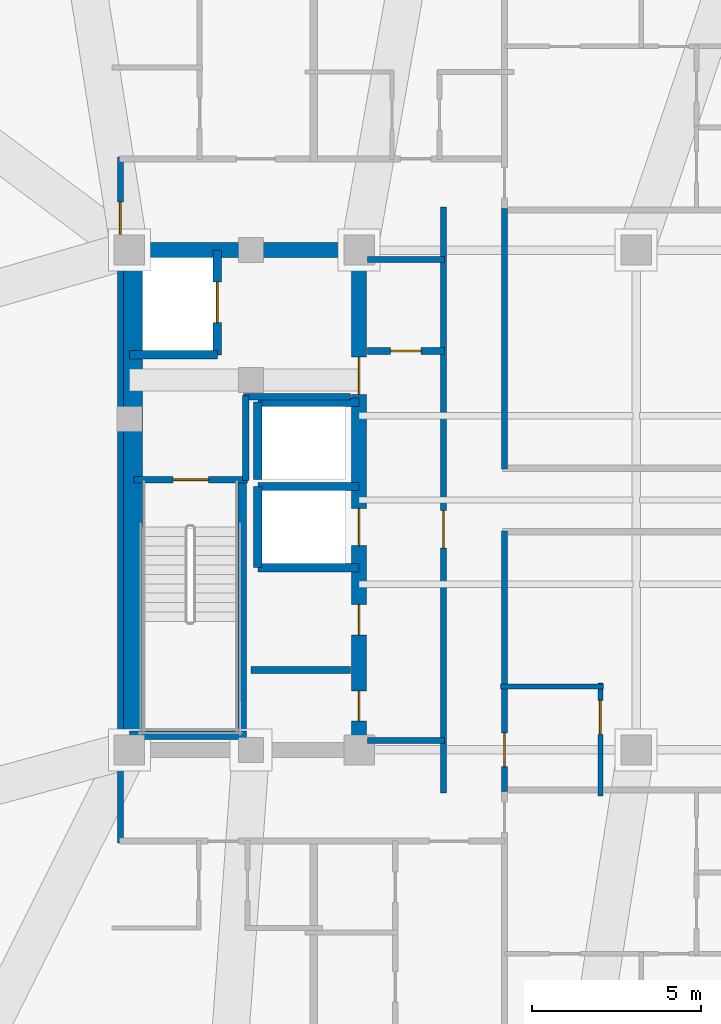
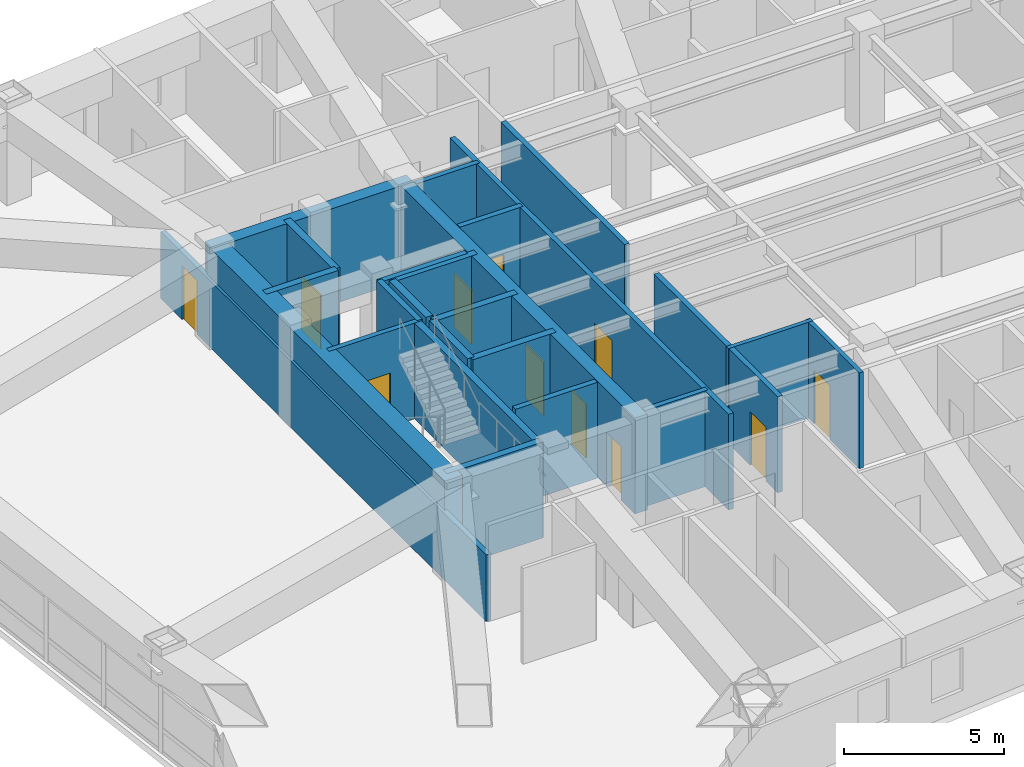
# One storey, part 7 of 14: 25 walls, 11 doors, 11 openings.
"""IFC4 building model written with IfcOpenShell, lengths in metres."""

from ifc_helpers import new_model, si_unit, direction, frame, frame_2d, origin, place, context, subcontext, project, spatial, rectangle, extrude, material, layer, layer_set, type_object, element, fill, save


model = new_model("IFC4")

# Units and contexts
model_context = context("Model", 3, precision=1e-05, world=origin(), true_north=direction((0.0, 1.0)))
body_context = subcontext(model_context, "Body", "Model", "MODEL_VIEW")
ifc_project = project(units=[si_unit("LENGTHUNIT", "METRE"), si_unit("AREAUNIT", "SQUARE_METRE"), si_unit("VOLUMEUNIT", "CUBIC_METRE"), si_unit("PLANEANGLEUNIT", "RADIAN"), si_unit("MASSUNIT", "GRAM", prefix="KILO")], contexts=[model_context])

# Site, building, storey
site_placement = place(None, origin())
site = spatial("IfcSite", under=ifc_project, at=site_placement, CompositionType="ELEMENT")
building_placement = place(site_placement, origin())
building = spatial("IfcBuilding", under=site, at=building_placement, Name="Voryun Gate Residences", CompositionType="ELEMENT")
storey_placement = place(building_placement, frame((0.0, 0.0, 144.300048828125)))
storey = spatial("IfcBuildingStorey", under=building, at=storey_placement, Name="L35", CompositionType="ELEMENT", Elevation=144.300048828125)

# Wall
ifc_material_1 = material(Name="Concrete C50/60", Category="concrete")
ifc_layer_1 = layer(ifc_material_1, 0.449951171875, Name="CW_CORE_450")
ifc_layer_set_1 = layer_set([ifc_layer_1], Name="Concrete C50/60")
wall_type_1 = type_object("IfcWallType", Name="CW_CORE_450", PredefinedType="SHEAR", material=ifc_layer_set_1)
wall_1_placement = place(storey_placement, frame((-19.425048828125, 7.39990234375, 0.0), z_axis=(0.0, 0.0, 1.0), x_axis=(1.0, 0.0, 0.0)))
element("IfcWall", 1, at=wall_1_placement, inside=storey, type_object=wall_type_1, Name="L35 Core shear wall CW-L35-WN", PredefinedType="SHEAR", context=body_context, shape_type="SweptSolid", body=[
    extrude(rectangle(XDim=7.25, YDim=0.449951171875, at=frame_2d((3.625, 0.0))), origin(), (0.0, 0.0, 1.0), 3.64990234375),
])

# Wall, openings, doors
wall_2_placement = place(storey_placement, frame((-12.39990234375, -7.39990234375, 0.0), z_axis=(0.0, 0.0, 1.0), x_axis=(0.0, 1.0, 0.0)))
wall_2 = element("IfcWall", 2, at=wall_2_placement, inside=storey, type_object=wall_type_1, Name="L35 Core shear wall CW-L35-WE", PredefinedType="SHEAR", context=body_context, shape_type="SweptSolid", body=[
    extrude(rectangle(XDim=14.7998046875, YDim=0.449951171875, at=frame_2d((7.39990234375, 0.0))), origin(), (0.0, 0.0, 1.0), 3.64990234375),
])
opening_1_placement = place(wall_2_placement, frame((6.050048828125, 0.0, 0.0)))
opening_1 = element("IfcOpeningElement", 3, at=opening_1_placement, cuts=wall_2, Name="Opening LD2", PredefinedType="OPENING", context=body_context, shape_type="SweptSolid", body=[
    extrude(rectangle(XDim=1.10009765625, YDim=2.050048828125, at=frame_2d((0.550048828125, 1.02490234375))), frame((0.0, 0.235107421875, 0.0), z_axis=(0.0, -1.0, 0.0), x_axis=(1.0, 0.0, 0.0)), (0.0, 0.0, 1.0), 0.469970703125),
])
opening_2_placement = place(wall_2_placement, frame((10.530029296875, 0.0, 0.0)))
opening_2 = element("IfcOpeningElement", 4, at=opening_2_placement, cuts=wall_2, Name="Opening D-FD60-2", PredefinedType="OPENING", context=body_context, shape_type="SweptSolid", body=[
    extrude(rectangle(XDim=1.10009765625, YDim=2.050048828125, at=frame_2d((0.550048828125, 1.02490234375))), frame((0.0, 0.235107421875, 0.0), z_axis=(0.0, -1.0, 0.0), x_axis=(1.0, 0.0, 0.0)), (0.0, 0.0, 1.0), 0.469970703125),
])
opening_3_placement = place(wall_2_placement, frame((0.85009765625, 0.0, 0.0)))
opening_3 = element("IfcOpeningElement", 5, at=opening_3_placement, cuts=wall_2, Name="Opening D-FD60-4", PredefinedType="OPENING", context=body_context, shape_type="SweptSolid", body=[
    extrude(rectangle(XDim=0.89990234375, YDim=2.050048828125, at=frame_2d((0.449951171875, 1.02490234375))), frame((0.0, 0.235107421875, 0.0), z_axis=(0.0, -1.0, 0.0), x_axis=(1.0, 0.0, 0.0)), (0.0, 0.0, 1.0), 0.469970703125),
])
opening_4_placement = place(wall_2_placement, frame((3.39990234375, 0.0, 0.0)))
opening_4 = element("IfcOpeningElement", 6, at=opening_4_placement, cuts=wall_2, Name="Opening D-FD60-4", PredefinedType="OPENING", context=body_context, shape_type="SweptSolid", body=[
    extrude(rectangle(XDim=0.89990234375, YDim=2.050048828125, at=frame_2d((0.449951171875, 1.02490234375))), frame((0.0, 0.235107421875, 0.0), z_axis=(0.0, -1.0, 0.0), x_axis=(1.0, 0.0, 0.0)), (0.0, 0.0, 1.0), 0.469970703125),
])
ifc_material_2 = material(Name="Painted steel fire door", Category="steel")
door_type_1 = type_object("IfcDoorType", Name="DR_FD60_FFLOB_1100", OperationType="NOTDEFINED", PredefinedType="DOOR", material=ifc_material_2)
door_1_placement = place(opening_2_placement, origin())
door_1 = element("IfcDoor", 7, at=door_1_placement, inside=storey, type_object=door_type_1, Name="Door DR-L35-CLOB-W", OperationType="SINGLE_SWING_LEFT", OverallHeight=2.050048828125, OverallWidth=1.10009765625, PredefinedType="DOOR", context=body_context, shape_type="SweptSolid", body=[
    extrude(rectangle(XDim=1.10009765625, YDim=2.050048828125, at=frame_2d((0.550048828125, 1.02490234375))), frame((0.0, 0.02490234375, 0.0), z_axis=(0.0, -1.0, 0.0), x_axis=(1.0, 0.0, 0.0)), (0.0, 0.0, 1.0), 0.050048828125),
])
fill(opening_2, door_1)
ifc_material_3 = material(Name="Painted steel fire door", Category="steel")
door_type_2 = type_object("IfcDoorType", Name="DR_FD60_RISER_900", OperationType="NOTDEFINED", PredefinedType="DOOR", material=ifc_material_3)
door_2_placement = place(opening_3_placement, origin())
door_2 = element("IfcDoor", 8, at=door_2_placement, inside=storey, type_object=door_type_2, Name="Door DR-L35-RECWB1", OperationType="SINGLE_SWING_LEFT", OverallHeight=2.050048828125, OverallWidth=0.89990234375, PredefinedType="DOOR", context=body_context, shape_type="SweptSolid", body=[
    extrude(rectangle(XDim=0.89990234375, YDim=2.050048828125, at=frame_2d((0.449951171875, 1.02490234375))), frame((0.0, 0.02490234375, 0.0), z_axis=(0.0, -1.0, 0.0), x_axis=(1.0, 0.0, 0.0)), (0.0, 0.0, 1.0), 0.050048828125),
])
fill(opening_3, door_2)
door_3_placement = place(opening_4_placement, origin())
door_3 = element("IfcDoor", 9, at=door_3_placement, inside=storey, type_object=door_type_2, Name="Door DR-L35-RECWB2", OperationType="SINGLE_SWING_RIGHT", OverallHeight=2.050048828125, OverallWidth=0.89990234375, PredefinedType="DOOR", context=body_context, shape_type="SweptSolid", body=[
    extrude(rectangle(XDim=0.89990234375, YDim=2.050048828125, at=frame_2d((0.449951171875, 1.02490234375))), frame((0.0, 0.02490234375, 0.0), z_axis=(0.0, -1.0, 0.0), x_axis=(1.0, 0.0, 0.0)), (0.0, 0.0, 1.0), 0.050048828125),
])
fill(opening_4, door_3)
ifc_material_4 = material(Name="Anodised aluminium", Category="aluminium")
door_type_3 = type_object("IfcDoorType", Name="DR_LD_PASS_1100", OperationType="NOTDEFINED", PredefinedType="DOOR", material=ifc_material_4)
door_4_placement = place(opening_1_placement, origin())
door_4 = element("IfcDoor", 10, at=door_4_placement, inside=storey, type_object=door_type_3, Name="Lift EL-P4 sliding landing door L35", OperationType="SLIDING_TO_LEFT", OverallHeight=2.050048828125, OverallWidth=1.10009765625, PredefinedType="DOOR", context=body_context, shape_type="SweptSolid", body=[
    extrude(rectangle(XDim=1.10009765625, YDim=2.050048828125, at=frame_2d((0.550048828125, 1.02490234375))), frame((0.0, 0.02490234375, 0.0), z_axis=(0.0, -1.0, 0.0), x_axis=(1.0, 0.0, 0.0)), (0.0, 0.0, 1.0), 0.050048828125),
])
fill(opening_1, door_4)

# Wall
ifc_material_5 = material(Name="Concrete C60/75", Category="concrete")
ifc_layer_2 = layer(ifc_material_5, 0.64990234375, Name="CW_CORE_650")
ifc_layer_set_2 = layer_set([ifc_layer_2], Name="Concrete C60/75")
wall_type_2 = type_object("IfcWallType", Name="CW_CORE_650", PredefinedType="SHEAR", material=ifc_layer_set_2)
wall_3_placement = place(storey_placement, frame((-19.14501953125, -7.39990234375, 0.0), z_axis=(0.0, 0.0, 1.0), x_axis=(0.0, 1.0, 0.0)))
element("IfcWall", 11, at=wall_3_placement, inside=storey, type_object=wall_type_2, Name="L35 Core shear wall CW-L35-WW", PredefinedType="SHEAR", context=body_context, shape_type="SweptSolid", body=[
    extrude(rectangle(XDim=14.7998046875, YDim=0.64990234375, at=frame_2d((7.39990234375, 0.0))), origin(), (0.0, 0.0, 1.0), 3.64990234375),
])

# Wall, opening, door
ifc_material_6 = material(Name="Gypsum acoustic fireboard")
ifc_layer_3 = layer(ifc_material_6, 0.179931640625, Name="W_CORR_RATED_180")
ifc_layer_set_3 = layer_set([ifc_layer_3], Name="Gypsum acoustic fireboard")
wall_type_3 = type_object("IfcWallType", Name="W_CORR_RATED_180", PredefinedType="PARTITIONING", material=ifc_layer_set_3)
wall_4_placement = place(storey_placement, frame((-19.06005859375, 0.60009765625, 0.0), z_axis=(0.0, 0.0, 1.0), x_axis=(1.0, 0.0, 0.0)))
wall_4 = element("IfcWall", 12, at=wall_4_placement, inside=storey, type_object=wall_type_3, Name="Partition wall WP-L35-STV-W", PredefinedType="PARTITIONING", context=body_context, shape_type="SweptSolid", body=[
    extrude(rectangle(XDim=3.360107421875, YDim=0.179931640625, at=frame_2d((1.68017578125, 0.0))), origin(), (0.0, 0.0, 1.0), 3.64990234375),
])
opening_5_placement = place(wall_4_placement, frame((1.155029296875, 0.0, 0.0)))
opening_5 = element("IfcOpeningElement", 13, at=opening_5_placement, cuts=wall_4, Name="Opening D-FD60-1", PredefinedType="OPENING", context=body_context, shape_type="SweptSolid", body=[
    extrude(rectangle(XDim=1.050048828125, YDim=2.050048828125, at=frame_2d((0.52490234375, 1.02490234375))), frame((0.0, 0.099853515625, 0.0), z_axis=(0.0, -1.0, 0.0), x_axis=(1.0, 0.0, 0.0)), (0.0, 0.0, 1.0), 0.199951171875),
])
ifc_material_7 = material(Name="Painted steel fire door", Category="steel")
door_type_4 = type_object("IfcDoorType", Name="DR_FD60_STAIR_1050", OperationType="NOTDEFINED", PredefinedType="DOOR", material=ifc_material_7)
door_5_placement = place(opening_5_placement, origin())
door_5 = element("IfcDoor", 14, at=door_5_placement, inside=storey, type_object=door_type_4, Name="Door DR-L35-ST-W", OperationType="SINGLE_SWING_LEFT", OverallHeight=2.050048828125, OverallWidth=1.050048828125, PredefinedType="DOOR", context=body_context, shape_type="SweptSolid", body=[
    extrude(rectangle(XDim=1.050048828125, YDim=2.050048828125, at=frame_2d((0.52490234375, 1.02490234375))), frame((0.0, 0.02490234375, 0.0), z_axis=(0.0, -1.0, 0.0), x_axis=(1.0, 0.0, 0.0)), (0.0, 0.0, 1.0), 0.050048828125),
])
fill(opening_5, door_5)

# Walls
for number, where, z_axis, x_axis, name in (
    (15, (-12.14990234375, 7.1201171875, 0.0), (0.0, 0.0, 1.0), (1.0, 0.0, 0.0), "Partition wall WP-L35-PLBN-W"),
    (16, (-12.14990234375, -7.1201171875, 0.0), (0.0, 0.0, 1.0), (1.0, 0.0, 0.0), "Partition wall WP-L35-PLBS-W"),
):
    element("IfcWall", number, at=place(storey_placement, frame(where, z_axis=z_axis, x_axis=x_axis)), inside=storey, type_object=wall_type_3, Name=name, PredefinedType="PARTITIONING", context=body_context, shape_type="SweptSolid", body=[
        extrude(rectangle(XDim=2.27001953125, YDim=0.179931640625, at=frame_2d((1.135009765625, 0.0))), origin(), (0.0, 0.0, 1.0), 3.64990234375),
    ])

# Wall, opening, door
wall_5_placement = place(storey_placement, frame((-9.89990234375, -8.679931640625, 0.0), z_axis=(0.0, 0.0, 1.0), x_axis=(0.0, 1.0, 0.0)))
wall_5 = element("IfcWall", 17, at=wall_5_placement, inside=storey, type_object=wall_type_3, Name="Partition wall WP-L35-PLBW-FULL", PredefinedType="PARTITIONING", context=body_context, shape_type="SweptSolid", body=[
    extrude(rectangle(XDim=17.35986328125, YDim=0.179931640625, at=frame_2d((8.679931640625, 0.0))), origin(), (0.0, 0.0, 1.0), 3.64990234375),
])
opening_6_placement = place(wall_5_placement, frame((7.261962890625, 0.0, 0.0)))
opening_6 = element("IfcOpeningElement", 18, at=opening_6_placement, cuts=wall_5, Name="Opening D-FD60-2", PredefinedType="OPENING", context=body_context, shape_type="SweptSolid", body=[
    extrude(rectangle(XDim=1.10009765625, YDim=2.050048828125, at=frame_2d((0.550048828125, 1.02490234375))), frame((0.0, 0.099853515625, 0.0), z_axis=(0.0, -1.0, 0.0), x_axis=(1.0, 0.0, 0.0)), (0.0, 0.0, 1.0), 0.199951171875),
])
door_6_placement = place(opening_6_placement, origin())
door_6 = element("IfcDoor", 19, at=door_6_placement, inside=storey, type_object=door_type_1, Name="Door DR-L35-PLBW-COR", OperationType="SINGLE_SWING_LEFT", OverallHeight=2.050048828125, OverallWidth=1.10009765625, PredefinedType="DOOR", context=body_context, shape_type="SweptSolid", body=[
    extrude(rectangle(XDim=1.10009765625, YDim=2.050048828125, at=frame_2d((0.550048828125, 1.02490234375))), frame((0.0, 0.02490234375, 0.0), z_axis=(0.0, -1.0, 0.0), x_axis=(1.0, 0.0, 0.0)), (0.0, 0.0, 1.0), 0.050048828125),
])
fill(opening_6, door_6)

# Wall
wall_6_placement = place(storey_placement, frame((-8.10009765625, 0.919921875, 0.0), z_axis=(0.0, 0.0, 1.0), x_axis=(0.0, 1.0, 0.0)))
element("IfcWall", 20, at=wall_6_placement, inside=storey, type_object=wall_type_3, Name="Partition wall WP-L35-Z2WL1", PredefinedType="PARTITIONING", context=body_context, shape_type="SweptSolid", body=[
    extrude(rectangle(XDim=7.7099609375, YDim=0.179931640625, at=frame_2d((3.85498046875, 0.0))), origin(), (0.0, 0.0, 1.0), 3.64990234375),
])

# Wall, opening, door
wall_7_placement = place(storey_placement, frame((-8.10009765625, -8.6298828125, 0.0), z_axis=(0.0, 0.0, 1.0), x_axis=(0.0, 1.0, 0.0)))
wall_7 = element("IfcWall", 21, at=wall_7_placement, inside=storey, type_object=wall_type_3, Name="Partition wall WP-L35-Z2WL2", PredefinedType="PARTITIONING", context=body_context, shape_type="SweptSolid", body=[
    extrude(rectangle(XDim=7.7099609375, YDim=0.179931640625, at=frame_2d((3.85498046875, 0.0))), origin(), (0.0, 0.0, 1.0), 3.64990234375),
])
opening_7_placement = place(wall_7_placement, frame((0.733642578125, 0.0, 0.0)))
opening_7 = element("IfcOpeningElement", 22, at=opening_7_placement, cuts=wall_7, Name="Opening D-AWC-1", PredefinedType="OPENING", context=body_context, shape_type="SweptSolid", body=[
    extrude(rectangle(XDim=1.0, YDim=2.050048828125, at=frame_2d((0.5, 1.02490234375))), frame((0.0, 0.099853515625, 0.0), z_axis=(0.0, -1.0, 0.0), x_axis=(1.0, 0.0, 0.0)), (0.0, 0.0, 1.0), 0.199951171875),
])
ifc_material_8 = material(Name="Architectural oak veneer")
door_type_5 = type_object("IfcDoorType", Name="DR_ACC_WC_1000", OperationType="NOTDEFINED", PredefinedType="DOOR", material=ifc_material_8)
door_7_placement = place(opening_7_placement, origin())
door_7 = element("IfcDoor", 23, at=door_7_placement, inside=storey, type_object=door_type_5, Name="Door DR-L35-CMWC-D", OperationType="SINGLE_SWING_LEFT", OverallHeight=2.050048828125, OverallWidth=1.0, PredefinedType="DOOR", context=body_context, shape_type="SweptSolid", body=[
    extrude(rectangle(XDim=1.0, YDim=2.050048828125, at=frame_2d((0.5, 1.02490234375))), frame((0.0, 0.02490234375, 0.0), z_axis=(0.0, -1.0, 0.0), x_axis=(1.0, 0.0, 0.0)), (0.0, 0.0, 1.0), 0.050048828125),
])
fill(opening_7, door_7)

wall_8_placement = place(storey_placement, frame((-19.469970703125, -10.14990234375, 0.0), z_axis=(0.0, 0.0, 1.0), x_axis=(0.0, 1.0, 0.0)))
wall_8 = element("IfcWall", 24, at=wall_8_placement, inside=storey, type_object=wall_type_3, Name="Partition wall WP-L35-WSG", PredefinedType="PARTITIONING", context=body_context, shape_type="SweptSolid", body=[
    extrude(rectangle(XDim=20.2998046875, YDim=0.179931640625, at=frame_2d((10.14990234375, 0.0))), origin(), (0.0, 0.0, 1.0), 2.5400390625),
])
opening_8_placement = place(wall_8_placement, frame((18.014892578125, 0.0, 0.0)))
opening_8 = element("IfcOpeningElement", 25, at=opening_8_placement, cuts=wall_8, Name="Opening D-INT-1", PredefinedType="OPENING", context=body_context, shape_type="SweptSolid", body=[
    extrude(rectangle(XDim=0.949951171875, YDim=2.050048828125, at=frame_2d((0.47509765625, 1.02490234375))), frame((0.0, 0.099853515625, 0.0), z_axis=(0.0, -1.0, 0.0), x_axis=(1.0, 0.0, 0.0)), (0.0, 0.0, 1.0), 0.199951171875),
])
ifc_material_9 = material(Name="Architectural oak veneer")
door_type_6 = type_object("IfcDoorType", Name="DR_INT_ROOM_950", OperationType="NOTDEFINED", PredefinedType="DOOR", material=ifc_material_9)
door_8_placement = place(opening_8_placement, origin())
door_8 = element("IfcDoor", 26, at=door_8_placement, inside=storey, type_object=door_type_6, Name="Door DR-L35-WSG", OperationType="SINGLE_SWING_LEFT", OverallHeight=2.050048828125, OverallWidth=0.949951171875, PredefinedType="DOOR", context=body_context, shape_type="SweptSolid", body=[
    extrude(rectangle(XDim=0.949951171875, YDim=2.050048828125, at=frame_2d((0.47509765625, 1.02490234375))), frame((0.0, 0.02490234375, 0.0), z_axis=(0.0, -1.0, 0.0), x_axis=(1.0, 0.0, 0.0)), (0.0, 0.0, 1.0), 0.050048828125),
])
fill(opening_8, door_8)

# Walls
ifc_material_10 = material(Name="Concrete C40/50", Category="concrete")
ifc_layer_4 = layer(ifc_material_10, 0.199951171875, Name="W_FF_LOBBY_200")
ifc_layer_set_4 = layer_set([ifc_layer_4], Name="Concrete C40/50")
wall_type_4 = type_object("IfcWallType", Name="W_FF_LOBBY_200", PredefinedType="PARTITIONING", material=ifc_layer_set_4)
wall_9_placement = place(storey_placement, frame((-15.760009765625, 0.580078125, 0.0), z_axis=(0.0, 0.0, 1.0), x_axis=(0.0, 1.0, 0.0)))
element("IfcWall", 27, at=wall_9_placement, inside=storey, type_object=wall_type_4, Name="Partition wall WP-L35-FFP0-W", PredefinedType="PARTITIONING", context=body_context, shape_type="SweptSolid", body=[
    extrude(rectangle(XDim=2.52001953125, YDim=0.199951171875, at=frame_2d((1.260009765625, 0.0))), origin(), (0.0, 0.0, 1.0), 3.64990234375),
])
wall_10_placement = place(storey_placement, frame((-15.820068359375, 3.06005859375, 0.0), z_axis=(0.0, 0.0, 1.0), x_axis=(1.0, 0.0, 0.0)))
element("IfcWall", 28, at=wall_10_placement, inside=storey, type_object=wall_type_4, Name="Partition wall WP-L35-FFPS-W", PredefinedType="PARTITIONING", context=body_context, shape_type="SweptSolid", body=[
    extrude(rectangle(XDim=3.16015625, YDim=0.199951171875, at=frame_2d((1.580078125, 0.0))), origin(), (0.0, 0.0, 1.0), 3.64990234375),
])
wall_11_placement = place(storey_placement, frame((-15.60009765625, -5.030029296875, 0.0), z_axis=(0.0, 0.0, 1.0), x_axis=(1.0, 0.0, 0.0)))
element("IfcWall", 29, at=wall_11_placement, inside=storey, type_object=wall_type_4, Name="Partition wall WP-L35-RECWB", PredefinedType="PARTITIONING", context=body_context, shape_type="SweptSolid", body=[
    extrude(rectangle(XDim=2.940185546875, YDim=0.199951171875, at=frame_2d((1.47021484375, 0.0))), origin(), (0.0, 0.0, 1.0), 3.64990234375),
])

# Wall, opening, door
wall_12_placement = place(storey_placement, frame((-12.14990234375, 4.409912109375, 0.0), z_axis=(0.0, 0.0, 1.0), x_axis=(1.0, 0.0, 0.0)))
wall_12 = element("IfcWall", 30, at=wall_12_placement, inside=storey, type_object=wall_type_4, Name="Partition wall WP-L35-CSFLKS-W", PredefinedType="PARTITIONING", context=body_context, shape_type="SweptSolid", body=[
    extrude(rectangle(XDim=2.27001953125, YDim=0.199951171875, at=frame_2d((1.135009765625, 0.0))), origin(), (0.0, 0.0, 1.0), 3.64990234375),
])
opening_9_placement = place(wall_12_placement, frame((0.68505859375, 0.0, 0.0)))
opening_9 = element("IfcOpeningElement", 31, at=opening_9_placement, cuts=wall_12, Name="Opening D-FD60-4", PredefinedType="OPENING", context=body_context, shape_type="SweptSolid", body=[
    extrude(rectangle(XDim=0.89990234375, YDim=2.050048828125, at=frame_2d((0.449951171875, 1.02490234375))), frame((0.0, 0.110107421875, 0.0), z_axis=(0.0, -1.0, 0.0), x_axis=(1.0, 0.0, 0.0)), (0.0, 0.0, 1.0), 0.219970703125),
])
door_9_placement = place(opening_9_placement, origin())
door_9 = element("IfcDoor", 32, at=door_9_placement, inside=storey, type_object=door_type_2, Name="Door DR-L35-CSFLK-W", OperationType="SINGLE_SWING_LEFT", OverallHeight=2.050048828125, OverallWidth=0.89990234375, PredefinedType="DOOR", context=body_context, shape_type="SweptSolid", body=[
    extrude(rectangle(XDim=0.89990234375, YDim=2.050048828125, at=frame_2d((0.449951171875, 1.02490234375))), frame((0.0, 0.02490234375, 0.0), z_axis=(0.0, -1.0, 0.0), x_axis=(1.0, 0.0, 0.0)), (0.0, 0.0, 1.0), 0.050048828125),
])
fill(opening_9, door_9)

# Walls
ifc_material_11 = material(Name="Concrete C50/60", Category="concrete")
ifc_layer_5 = layer(ifc_material_11, 0.25, Name="W_SHAFT_RC250")
ifc_layer_set_5 = layer_set([ifc_layer_5], Name="Concrete C50/60")
wall_type_5 = type_object("IfcWallType", Name="W_SHAFT_RC250", PredefinedType="SOLIDWALL", material=ifc_layer_set_5)
wall_13_placement = place(storey_placement, frame((-15.860107421875, -7.0849609375, 0.0), z_axis=(0.0, 0.0, 1.0), x_axis=(0.0, 1.0, 0.0)))
element("IfcWall", 33, at=wall_13_placement, inside=storey, type_object=wall_type_5, Name="L35 Stair shaft structural wall W-STR", PredefinedType="SOLIDWALL", context=body_context, shape_type="SweptSolid", body=[
    extrude(rectangle(XDim=7.68505859375, YDim=0.25, at=frame_2d((3.842529296875, 0.0))), origin(), (0.0, 0.0, 1.0), 3.64990234375),
])
wall_14_placement = place(storey_placement, frame((-19.199951171875, -6.965087890625, 0.0), z_axis=(0.0, 0.0, 1.0), x_axis=(1.0, 0.0, 0.0)))
element("IfcWall", 34, at=wall_14_placement, inside=storey, type_object=wall_type_5, Name="L35 Stair shaft structural wall W-STS", PredefinedType="SOLIDWALL", context=body_context, shape_type="SweptSolid", body=[
    extrude(rectangle(XDim=3.4599609375, YDim=0.25, at=frame_2d((1.72998046875, 0.0))), origin(), (0.0, 0.0, 1.0), 3.64990234375),
])
wall_15_placement = place(storey_placement, frame((-19.199951171875, 4.300048828125, 0.0), z_axis=(0.0, 0.0, 1.0), x_axis=(1.0, 0.0, 0.0)))
element("IfcWall", 35, at=wall_15_placement, inside=storey, type_object=wall_type_5, Name="Lift shaft wall WSH-L35-EL-FF-W1-S", PredefinedType="SOLIDWALL", context=body_context, shape_type="SweptSolid", body=[
    extrude(rectangle(XDim=2.599853515625, YDim=0.25, at=frame_2d((1.2998046875, 0.0))), origin(), (0.0, 0.0, 1.0), 3.64990234375),
])

# Wall, opening, door
wall_16_placement = place(storey_placement, frame((-16.60009765625, 4.300048828125, 0.0), z_axis=(0.0, 0.0, 1.0), x_axis=(0.0, 1.0, 0.0)))
wall_16 = element("IfcWall", 36, at=wall_16_placement, inside=storey, type_object=wall_type_5, Name="Lift shaft wall WSH-L35-EL-FF-W1-E", PredefinedType="SOLIDWALL", context=body_context, shape_type="SweptSolid", body=[
    extrude(rectangle(XDim=3.099853515625, YDim=0.25, at=frame_2d((1.5498046875, 0.0))), origin(), (0.0, 0.0, 1.0), 3.64990234375),
])
opening_10_placement = place(wall_16_placement, frame((0.949951171875, 0.0, 0.0)))
opening_10 = element("IfcOpeningElement", 37, at=opening_10_placement, cuts=wall_16, Name="Opening LD1", PredefinedType="OPENING", context=body_context, shape_type="SweptSolid", body=[
    extrude(rectangle(XDim=1.199951171875, YDim=2.050048828125, at=frame_2d((0.60009765625, 1.02490234375))), frame((0.0, 0.135009765625, 0.0), z_axis=(0.0, -1.0, 0.0), x_axis=(1.0, 0.0, 0.0)), (0.0, 0.0, 1.0), 0.27001953125),
])
ifc_material_12 = material(Name="Anodised aluminium", Category="aluminium")
door_type_7 = type_object("IfcDoorType", Name="DR_LD_FF_1200", OperationType="NOTDEFINED", PredefinedType="DOOR", material=ifc_material_12)
door_10_placement = place(opening_10_placement, origin())
door_10 = element("IfcDoor", 38, at=door_10_placement, inside=storey, type_object=door_type_7, Name="Lift EL-FF-W1 sliding landing door L35", OperationType="SLIDING_TO_LEFT", OverallHeight=2.050048828125, OverallWidth=1.199951171875, PredefinedType="DOOR", context=body_context, shape_type="SweptSolid", body=[
    extrude(rectangle(XDim=1.199951171875, YDim=2.050048828125, at=frame_2d((0.60009765625, 1.02490234375))), frame((0.0, 0.02490234375, 0.0), z_axis=(0.0, -1.0, 0.0), x_axis=(1.0, 0.0, 0.0)), (0.0, 0.0, 1.0), 0.050048828125),
])
fill(opening_10, door_10)

# Walls
for number, where, z_axis, x_axis, name in (
    (39, (-15.39990234375, -2.0, 0.0), (0.0, 0.0, 1.0), (1.0, 0.0, 0.0), "Lift shaft wall WSH-L35-EL-P4-S"),
    (40, (-12.39990234375, 0.39990234375, 0.0), (0.0, 0.0, 1.0), (-1.0, 0.0, 0.0), "Lift shaft wall WSH-L35-EL-P4-N"),
):
    element("IfcWall", number, at=place(storey_placement, frame(where, z_axis=z_axis, x_axis=x_axis)), inside=storey, type_object=wall_type_5, Name=name, PredefinedType="SOLIDWALL", context=body_context, shape_type="SweptSolid", body=[
        extrude(rectangle(XDim=3.0, YDim=0.25, at=frame_2d((1.5, 0.0))), origin(), (0.0, 0.0, 1.0), 3.64990234375),
    ])
wall_17_placement = place(storey_placement, frame((-15.39990234375, 0.39990234375, 0.0), z_axis=(0.0, 0.0, 1.0), x_axis=(0.0, -1.0, 0.0)))
element("IfcWall", 41, at=wall_17_placement, inside=storey, type_object=wall_type_5, Name="Lift shaft wall WSH-L35-EL-P4-W", PredefinedType="SOLIDWALL", context=body_context, shape_type="SweptSolid", body=[
    extrude(rectangle(XDim=2.39990234375, YDim=0.25, at=frame_2d((1.199951171875, 0.0))), origin(), (0.0, 0.0, 1.0), 3.64990234375),
])
wall_18_placement = place(storey_placement, frame((-12.39990234375, 2.89990234375, 0.0), z_axis=(0.0, 0.0, 1.0), x_axis=(-1.0, 0.0, 0.0)))
element("IfcWall", 42, at=wall_18_placement, inside=storey, type_object=wall_type_5, Name="Lift shaft wall WSH-L35-EL-P7-N", PredefinedType="SOLIDWALL", context=body_context, shape_type="SweptSolid", body=[
    extrude(rectangle(XDim=3.0, YDim=0.25, at=frame_2d((1.5, 0.0))), origin(), (0.0, 0.0, 1.0), 3.64990234375),
])
wall_19_placement = place(storey_placement, frame((-15.39990234375, 2.89990234375, 0.0), z_axis=(0.0, 0.0, 1.0), x_axis=(0.0, -1.0, 0.0)))
element("IfcWall", 43, at=wall_19_placement, inside=storey, type_object=wall_type_5, Name="Lift shaft wall WSH-L35-EL-P7-W", PredefinedType="SOLIDWALL", context=body_context, shape_type="SweptSolid", body=[
    extrude(rectangle(XDim=2.2998046875, YDim=0.25, at=frame_2d((1.14990234375, 0.0))), origin(), (0.0, 0.0, 1.0), 3.64990234375),
])

# Wall, opening, door
ifc_material_13 = material(Name="Gypsum moisture-resistant partition")
ifc_layer_6 = layer(ifc_material_13, 0.14990234375, Name="W_WET_PLUMB_150")
ifc_layer_set_6 = layer_set([ifc_layer_6], Name="Gypsum moisture-resistant partition")
wall_type_6 = type_object("IfcWallType", Name="W_WET_PLUMB_150", PredefinedType="PLUMBINGWALL", material=ifc_layer_set_6)
wall_20_placement = place(storey_placement, frame((-5.260009765625, -8.77001953125, 0.0), z_axis=(0.0, 0.0, 1.0), x_axis=(0.0, 1.0, 0.0)))
wall_20 = element("IfcWall", 44, at=wall_20_placement, inside=storey, type_object=wall_type_6, Name="Partition wall WP-L35-CMWCX", PredefinedType="PLUMBINGWALL", context=body_context, shape_type="SweptSolid", body=[
    extrude(rectangle(XDim=3.35009765625, YDim=0.14990234375, at=frame_2d((1.675048828125, 0.0))), origin(), (0.0, 0.0, 1.0), 3.64990234375),
])
opening_11_placement = place(wall_20_placement, frame((1.8349609375, 0.0, 0.0)))
opening_11 = element("IfcOpeningElement", 45, at=opening_11_placement, cuts=wall_20, Name="Opening D-AWC-1", PredefinedType="OPENING", context=body_context, shape_type="SweptSolid", body=[
    extrude(rectangle(XDim=1.0, YDim=2.050048828125, at=frame_2d((0.5, 1.02490234375))), frame((0.0, 0.0849609375, 0.0), z_axis=(0.0, -1.0, 0.0), x_axis=(1.0, 0.0, 0.0)), (0.0, 0.0, 1.0), 0.169921875),
])
door_11_placement = place(opening_11_placement, origin())
door_11 = element("IfcDoor", 46, at=door_11_placement, inside=storey, type_object=door_type_5, Name="Door DR-L35-CMWC", OperationType="SINGLE_SWING_LEFT", OverallHeight=2.050048828125, OverallWidth=1.0, PredefinedType="DOOR", context=body_context, shape_type="SweptSolid", body=[
    extrude(rectangle(XDim=1.0, YDim=2.050048828125, at=frame_2d((0.5, 1.02490234375))), frame((0.0, 0.02490234375, 0.0), z_axis=(0.0, -1.0, 0.0), x_axis=(1.0, 0.0, 0.0)), (0.0, 0.0, 1.0), 0.050048828125),
])
fill(opening_11, door_11)

# Wall
wall_21_placement = place(storey_placement, frame((-8.2099609375, -5.52001953125, 0.0), z_axis=(0.0, 0.0, 1.0), x_axis=(1.0, 0.0, 0.0)))
element("IfcWall", 47, at=wall_21_placement, inside=storey, type_object=wall_type_6, Name="Partition wall WP-L35-CMWCY", PredefinedType="PLUMBINGWALL", context=body_context, shape_type="SweptSolid", body=[
    extrude(rectangle(XDim=3.050048828125, YDim=0.14990234375, at=frame_2d((1.52490234375, 0.0))), origin(), (0.0, 0.0, 1.0), 3.64990234375),
])

save(model, "model.ifc")
